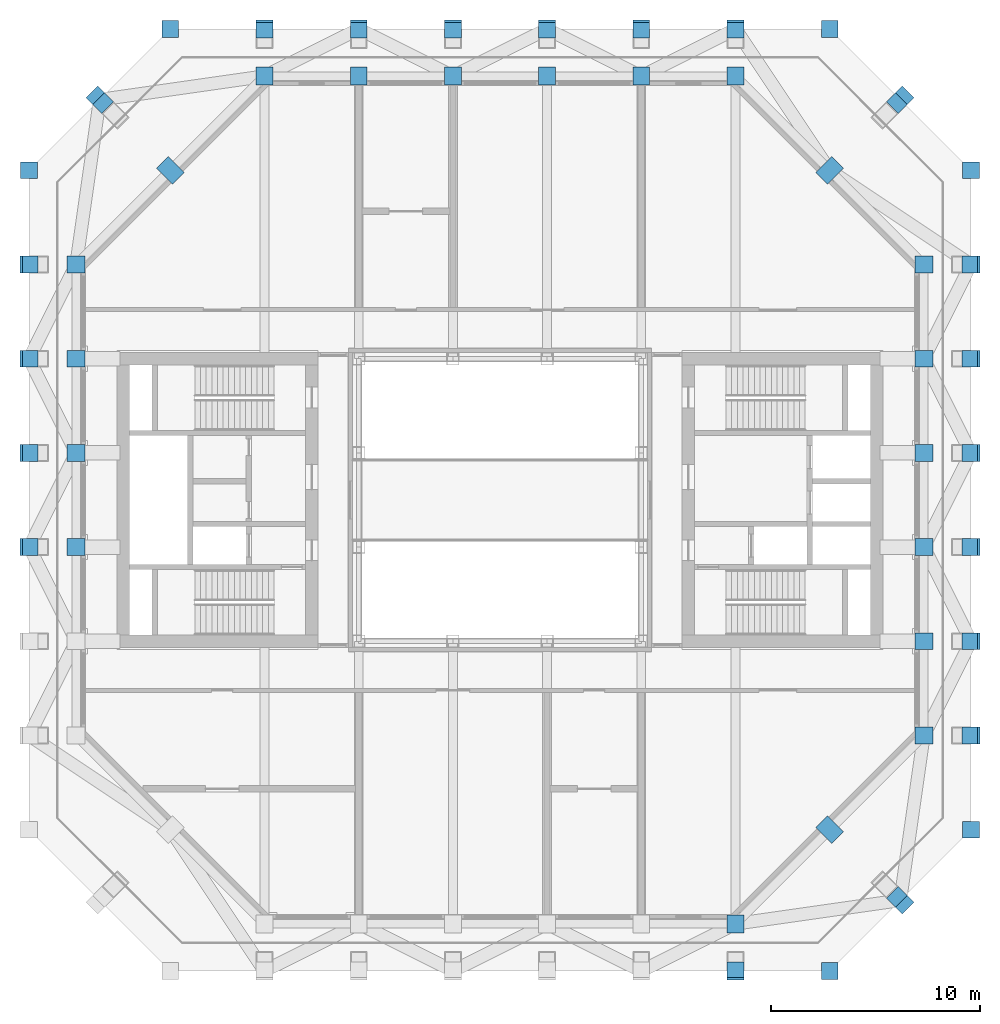
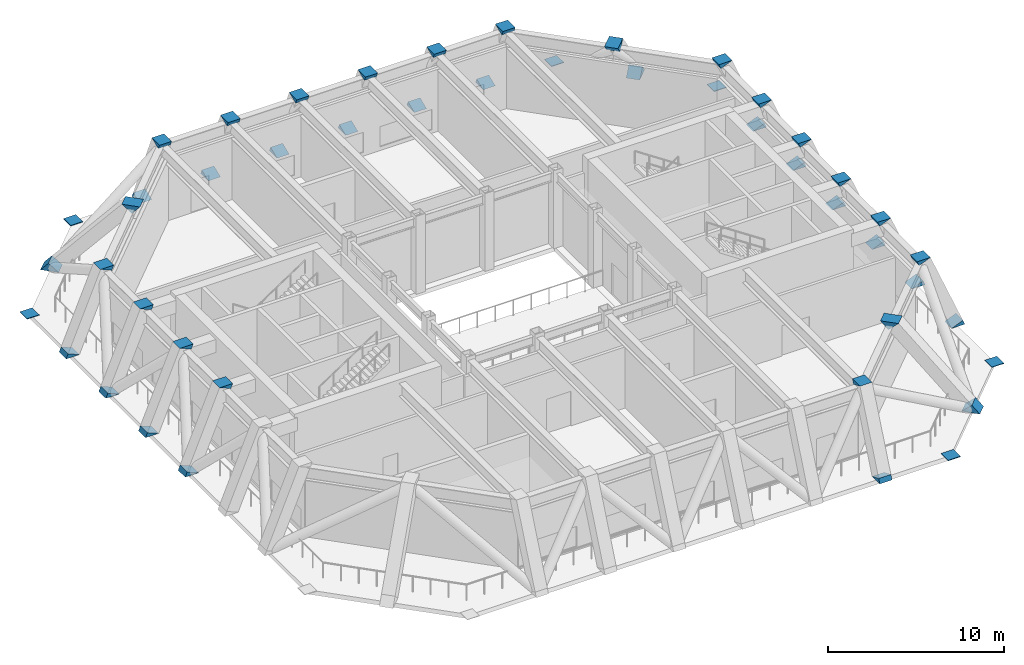
# One storey, part 6 of 8: 46 discrete accessories.
"""IFC4 building model written with IfcOpenShell, lengths in metres."""

from ifc_helpers import new_model, si_unit, direction, frame, origin, origin_2d, place, context, subcontext, project, spatial, polyline, rectangle, outline, extrude, clip, halfspace, element, save


model = new_model("IFC4")

# Units and contexts
model_context = context("Model", 3, precision=1e-05, world=origin(), true_north=direction((0.0, 1.0)))
body_context = subcontext(model_context, "Body", "Model", "MODEL_VIEW")
ifc_project = project(units=[si_unit("LENGTHUNIT", "METRE"), si_unit("AREAUNIT", "SQUARE_METRE"), si_unit("VOLUMEUNIT", "CUBIC_METRE"), si_unit("PLANEANGLEUNIT", "RADIAN"), si_unit("MASSUNIT", "GRAM", prefix="KILO")], contexts=[model_context])

# Site, building, storey
site_placement = place(None, origin())
site = spatial("IfcSite", under=ifc_project, at=site_placement, CompositionType="ELEMENT")
building_placement = place(site_placement, origin())
building = spatial("IfcBuilding", under=site, at=building_placement, Name="Msasa Ring Tower", CompositionType="ELEMENT")
storey_placement = place(building_placement, frame((0.0, 0.0, 190.39990234375)))
storey = spatial("IfcBuildingStorey", under=building, at=storey_placement, Name="L50", CompositionType="ELEMENT", Elevation=190.39990234375)

# Discrete accessories
discrete_accessory_1_placement = place(storey_placement, frame((-11.25, 22.5, 0.0)))
element("IfcDiscreteAccessory", 1, at=discrete_accessory_1_placement, inside=storey, Name="Raked column foot node N-11.25 L50", ObjectType="RAKED COLUMN NODE", PredefinedType="USERDEFINED", context=body_context, shape_type="Clipping", body=[
    clip(extrude(rectangle(XDim=0.800048828125, YDim=0.800048828125, at=origin_2d()), frame((0.0, 0.064208984375, -0.15380859375), z_axis=(0.0, -0.384615029586, 0.923077071006), x_axis=(0.0, 0.923077071006, 0.384615029586)), (0.0, 0.0, 1.0), 0.33349609375), halfspace(frame((0.0, 0.0, 0.0), z_axis=(0.0, 0.0, 1.0)), True)),
])
discrete_accessory_2_placement = place(storey_placement, frame((-11.25, 20.25, 5.400146484375)))
element("IfcDiscreteAccessory", 2, at=discrete_accessory_2_placement, inside=storey, Name="Raked column head node N-11.25 L50", ObjectType="RAKED COLUMN NODE", PredefinedType="USERDEFINED", context=body_context, shape_type="Clipping", body=[
    clip(extrude(rectangle(XDim=0.800048828125, YDim=0.800048828125, at=origin_2d()), frame((0.0, 0.064208984375, -0.15380859375), z_axis=(0.0, -0.384615029586, 0.923077071006), x_axis=(0.0, 0.923077071006, 0.384615029586)), (0.0, 0.0, 1.0), 0.33349609375), halfspace(frame((0.0, 0.0, 0.0), z_axis=(0.0, 0.0, -1.0)), True)),
])
discrete_accessory_3_placement = place(storey_placement, frame((22.5, -11.25, 0.0)))
element("IfcDiscreteAccessory", 3, at=discrete_accessory_3_placement, inside=storey, Name="Raked column foot node E-11.25 L50", ObjectType="RAKED COLUMN NODE", PredefinedType="USERDEFINED", context=body_context, shape_type="Clipping", body=[
    clip(extrude(rectangle(XDim=0.800048828125, YDim=0.800048828125, at=origin_2d()), frame((0.064208984375, 0.0, -0.15380859375), z_axis=(-0.384615029586, 0.0, 0.923077071006), x_axis=(0.0, -1.0, 0.0)), (0.0, 0.0, 1.0), 0.33349609375), halfspace(frame((0.0, 0.0, 0.0), z_axis=(0.0, 0.0, 1.0)), True)),
])
discrete_accessory_4_placement = place(storey_placement, frame((20.25, -11.25, 5.400146484375)))
element("IfcDiscreteAccessory", 4, at=discrete_accessory_4_placement, inside=storey, Name="Raked column head node E-11.25 L50", ObjectType="RAKED COLUMN NODE", PredefinedType="USERDEFINED", context=body_context, shape_type="Clipping", body=[
    clip(extrude(rectangle(XDim=0.800048828125, YDim=0.800048828125, at=origin_2d()), frame((0.064208984375, 0.0, -0.15380859375), z_axis=(-0.384615029586, 0.0, 0.923077071006), x_axis=(0.0, -1.0, 0.0)), (0.0, 0.0, 1.0), 0.33349609375), halfspace(frame((0.0, 0.0, 0.0), z_axis=(0.0, 0.0, -1.0)), True)),
])
discrete_accessory_5_placement = place(storey_placement, frame((-6.75, 22.5, 0.0)))
element("IfcDiscreteAccessory", 5, at=discrete_accessory_5_placement, inside=storey, Name="Raked column foot node N-6.75 L50", ObjectType="RAKED COLUMN NODE", PredefinedType="USERDEFINED", context=body_context, shape_type="Clipping", body=[
    clip(extrude(rectangle(XDim=0.800048828125, YDim=0.800048828125, at=origin_2d()), frame((0.0, 0.064208984375, -0.15380859375), z_axis=(0.0, -0.384615029586, 0.923077071006), x_axis=(0.0, 0.923077071006, 0.384615029586)), (0.0, 0.0, 1.0), 0.33349609375), halfspace(frame((0.0, 0.0, 0.0), z_axis=(0.0, 0.0, 1.0)), True)),
])
discrete_accessory_6_placement = place(storey_placement, frame((-6.75, 20.25, 5.400146484375)))
element("IfcDiscreteAccessory", 6, at=discrete_accessory_6_placement, inside=storey, Name="Raked column head node N-6.75 L50", ObjectType="RAKED COLUMN NODE", PredefinedType="USERDEFINED", context=body_context, shape_type="Clipping", body=[
    clip(extrude(rectangle(XDim=0.800048828125, YDim=0.800048828125, at=origin_2d()), frame((0.0, 0.064208984375, -0.15380859375), z_axis=(0.0, -0.384615029586, 0.923077071006), x_axis=(0.0, 0.923077071006, 0.384615029586)), (0.0, 0.0, 1.0), 0.33349609375), halfspace(frame((0.0, 0.0, 0.0), z_axis=(0.0, 0.0, -1.0)), True)),
])
discrete_accessory_7_placement = place(storey_placement, frame((22.5, -6.75, 0.0)))
element("IfcDiscreteAccessory", 7, at=discrete_accessory_7_placement, inside=storey, Name="Raked column foot node E-6.75 L50", ObjectType="RAKED COLUMN NODE", PredefinedType="USERDEFINED", context=body_context, shape_type="Clipping", body=[
    clip(extrude(rectangle(XDim=0.800048828125, YDim=0.800048828125, at=origin_2d()), frame((0.064208984375, 0.0, -0.15380859375), z_axis=(-0.384615029586, 0.0, 0.923077071006), x_axis=(0.0, -1.0, 0.0)), (0.0, 0.0, 1.0), 0.33349609375), halfspace(frame((0.0, 0.0, 0.0), z_axis=(0.0, 0.0, 1.0)), True)),
])
discrete_accessory_8_placement = place(storey_placement, frame((20.25, -6.75, 5.400146484375)))
element("IfcDiscreteAccessory", 8, at=discrete_accessory_8_placement, inside=storey, Name="Raked column head node E-6.75 L50", ObjectType="RAKED COLUMN NODE", PredefinedType="USERDEFINED", context=body_context, shape_type="Clipping", body=[
    clip(extrude(rectangle(XDim=0.800048828125, YDim=0.800048828125, at=origin_2d()), frame((0.064208984375, 0.0, -0.15380859375), z_axis=(-0.384615029586, 0.0, 0.923077071006), x_axis=(0.0, -1.0, 0.0)), (0.0, 0.0, 1.0), 0.33349609375), halfspace(frame((0.0, 0.0, 0.0), z_axis=(0.0, 0.0, -1.0)), True)),
])
discrete_accessory_9_placement = place(storey_placement, frame((-2.25, 22.5, 0.0)))
element("IfcDiscreteAccessory", 9, at=discrete_accessory_9_placement, inside=storey, Name="Raked column foot node N-2.25 L50", ObjectType="RAKED COLUMN NODE", PredefinedType="USERDEFINED", context=body_context, shape_type="Clipping", body=[
    clip(extrude(rectangle(XDim=0.800048828125, YDim=0.800048828125, at=origin_2d()), frame((0.0, 0.064208984375, -0.15380859375), z_axis=(0.0, -0.384615029586, 0.923077071006), x_axis=(0.0, 0.923077071006, 0.384615029586)), (0.0, 0.0, 1.0), 0.33349609375), halfspace(frame((0.0, 0.0, 0.0), z_axis=(0.0, 0.0, 1.0)), True)),
])
discrete_accessory_10_placement = place(storey_placement, frame((-2.25, 20.25, 5.400146484375)))
element("IfcDiscreteAccessory", 10, at=discrete_accessory_10_placement, inside=storey, Name="Raked column head node N-2.25 L50", ObjectType="RAKED COLUMN NODE", PredefinedType="USERDEFINED", context=body_context, shape_type="Clipping", body=[
    clip(extrude(rectangle(XDim=0.800048828125, YDim=0.800048828125, at=origin_2d()), frame((0.0, 0.064208984375, -0.15380859375), z_axis=(0.0, -0.384615029586, 0.923077071006), x_axis=(0.0, 0.923077071006, 0.384615029586)), (0.0, 0.0, 1.0), 0.33349609375), halfspace(frame((0.0, 0.0, 0.0), z_axis=(0.0, 0.0, -1.0)), True)),
])
discrete_accessory_11_placement = place(storey_placement, frame((22.5, -2.25, 0.0)))
element("IfcDiscreteAccessory", 11, at=discrete_accessory_11_placement, inside=storey, Name="Raked column foot node E-2.25 L50", ObjectType="RAKED COLUMN NODE", PredefinedType="USERDEFINED", context=body_context, shape_type="Clipping", body=[
    clip(extrude(rectangle(XDim=0.800048828125, YDim=0.800048828125, at=origin_2d()), frame((0.064208984375, 0.0, -0.15380859375), z_axis=(-0.384615029586, 0.0, 0.923077071006), x_axis=(0.0, -1.0, 0.0)), (0.0, 0.0, 1.0), 0.33349609375), halfspace(frame((0.0, 0.0, 0.0), z_axis=(0.0, 0.0, 1.0)), True)),
])
discrete_accessory_12_placement = place(storey_placement, frame((20.25, -2.25, 5.400146484375)))
element("IfcDiscreteAccessory", 12, at=discrete_accessory_12_placement, inside=storey, Name="Raked column head node E-2.25 L50", ObjectType="RAKED COLUMN NODE", PredefinedType="USERDEFINED", context=body_context, shape_type="Clipping", body=[
    clip(extrude(rectangle(XDim=0.800048828125, YDim=0.800048828125, at=origin_2d()), frame((0.064208984375, 0.0, -0.15380859375), z_axis=(-0.384615029586, 0.0, 0.923077071006), x_axis=(0.0, -1.0, 0.0)), (0.0, 0.0, 1.0), 0.33349609375), halfspace(frame((0.0, 0.0, 0.0), z_axis=(0.0, 0.0, -1.0)), True)),
])
discrete_accessory_13_placement = place(storey_placement, frame((-22.5, -2.25, 0.0)))
element("IfcDiscreteAccessory", 13, at=discrete_accessory_13_placement, inside=storey, Name="Raked column foot node W-2.25 L50", ObjectType="RAKED COLUMN NODE", PredefinedType="USERDEFINED", context=body_context, shape_type="Clipping", body=[
    clip(extrude(rectangle(XDim=0.800048828125, YDim=0.800048828125, at=origin_2d()), frame((-0.064208984375, 0.0, -0.15380859375), z_axis=(0.384615029586, 0.0, 0.923077071006), x_axis=(0.0, 1.0, 0.0)), (0.0, 0.0, 1.0), 0.33349609375), halfspace(frame((0.0, 0.0, 0.0), z_axis=(0.0, 0.0, 1.0)), True)),
])
discrete_accessory_14_placement = place(storey_placement, frame((-20.25, -2.25, 5.400146484375)))
element("IfcDiscreteAccessory", 14, at=discrete_accessory_14_placement, inside=storey, Name="Raked column head node W-2.25 L50", ObjectType="RAKED COLUMN NODE", PredefinedType="USERDEFINED", context=body_context, shape_type="Clipping", body=[
    clip(extrude(rectangle(XDim=0.800048828125, YDim=0.800048828125, at=origin_2d()), frame((-0.064208984375, 0.0, -0.15380859375), z_axis=(0.384615029586, 0.0, 0.923077071006), x_axis=(0.0, 1.0, 0.0)), (0.0, 0.0, 1.0), 0.33349609375), halfspace(frame((0.0, 0.0, 0.0), z_axis=(0.0, 0.0, -1.0)), True)),
])
discrete_accessory_15_placement = place(storey_placement, frame((2.25, 22.5, 0.0)))
element("IfcDiscreteAccessory", 15, at=discrete_accessory_15_placement, inside=storey, Name="Raked column foot node N+2.25 L50", ObjectType="RAKED COLUMN NODE", PredefinedType="USERDEFINED", context=body_context, shape_type="Clipping", body=[
    clip(extrude(rectangle(XDim=0.800048828125, YDim=0.800048828125, at=origin_2d()), frame((0.0, 0.064208984375, -0.15380859375), z_axis=(0.0, -0.384615029586, 0.923077071006), x_axis=(0.0, 0.923077071006, 0.384615029586)), (0.0, 0.0, 1.0), 0.33349609375), halfspace(frame((0.0, 0.0, 0.0), z_axis=(0.0, 0.0, 1.0)), True)),
])
discrete_accessory_16_placement = place(storey_placement, frame((2.25, 20.25, 5.400146484375)))
element("IfcDiscreteAccessory", 16, at=discrete_accessory_16_placement, inside=storey, Name="Raked column head node N+2.25 L50", ObjectType="RAKED COLUMN NODE", PredefinedType="USERDEFINED", context=body_context, shape_type="Clipping", body=[
    clip(extrude(rectangle(XDim=0.800048828125, YDim=0.800048828125, at=origin_2d()), frame((0.0, 0.064208984375, -0.15380859375), z_axis=(0.0, -0.384615029586, 0.923077071006), x_axis=(0.0, 0.923077071006, 0.384615029586)), (0.0, 0.0, 1.0), 0.33349609375), halfspace(frame((0.0, 0.0, 0.0), z_axis=(0.0, 0.0, -1.0)), True)),
])
discrete_accessory_17_placement = place(storey_placement, frame((22.5, 2.25, 0.0)))
element("IfcDiscreteAccessory", 17, at=discrete_accessory_17_placement, inside=storey, Name="Raked column foot node E+2.25 L50", ObjectType="RAKED COLUMN NODE", PredefinedType="USERDEFINED", context=body_context, shape_type="Clipping", body=[
    clip(extrude(rectangle(XDim=0.800048828125, YDim=0.800048828125, at=origin_2d()), frame((0.064208984375, 0.0, -0.15380859375), z_axis=(-0.384615029586, 0.0, 0.923077071006), x_axis=(0.0, -1.0, 0.0)), (0.0, 0.0, 1.0), 0.33349609375), halfspace(frame((0.0, 0.0, 0.0), z_axis=(0.0, 0.0, 1.0)), True)),
])
discrete_accessory_18_placement = place(storey_placement, frame((20.25, 2.25, 5.400146484375)))
element("IfcDiscreteAccessory", 18, at=discrete_accessory_18_placement, inside=storey, Name="Raked column head node E+2.25 L50", ObjectType="RAKED COLUMN NODE", PredefinedType="USERDEFINED", context=body_context, shape_type="Clipping", body=[
    clip(extrude(rectangle(XDim=0.800048828125, YDim=0.800048828125, at=origin_2d()), frame((0.064208984375, 0.0, -0.15380859375), z_axis=(-0.384615029586, 0.0, 0.923077071006), x_axis=(0.0, -1.0, 0.0)), (0.0, 0.0, 1.0), 0.33349609375), halfspace(frame((0.0, 0.0, 0.0), z_axis=(0.0, 0.0, -1.0)), True)),
])
discrete_accessory_19_placement = place(storey_placement, frame((-22.5, 2.25, 0.0)))
element("IfcDiscreteAccessory", 19, at=discrete_accessory_19_placement, inside=storey, Name="Raked column foot node W+2.25 L50", ObjectType="RAKED COLUMN NODE", PredefinedType="USERDEFINED", context=body_context, shape_type="Clipping", body=[
    clip(extrude(rectangle(XDim=0.800048828125, YDim=0.800048828125, at=origin_2d()), frame((-0.064208984375, 0.0, -0.15380859375), z_axis=(0.384615029586, 0.0, 0.923077071006), x_axis=(0.0, 1.0, 0.0)), (0.0, 0.0, 1.0), 0.33349609375), halfspace(frame((0.0, 0.0, 0.0), z_axis=(0.0, 0.0, 1.0)), True)),
])
discrete_accessory_20_placement = place(storey_placement, frame((-20.25, 2.25, 5.400146484375)))
element("IfcDiscreteAccessory", 20, at=discrete_accessory_20_placement, inside=storey, Name="Raked column head node W+2.25 L50", ObjectType="RAKED COLUMN NODE", PredefinedType="USERDEFINED", context=body_context, shape_type="Clipping", body=[
    clip(extrude(rectangle(XDim=0.800048828125, YDim=0.800048828125, at=origin_2d()), frame((-0.064208984375, 0.0, -0.15380859375), z_axis=(0.384615029586, 0.0, 0.923077071006), x_axis=(0.0, 1.0, 0.0)), (0.0, 0.0, 1.0), 0.33349609375), halfspace(frame((0.0, 0.0, 0.0), z_axis=(0.0, 0.0, -1.0)), True)),
])
discrete_accessory_21_placement = place(storey_placement, frame((6.75, 22.5, 0.0)))
element("IfcDiscreteAccessory", 21, at=discrete_accessory_21_placement, inside=storey, Name="Raked column foot node N+6.75 L50", ObjectType="RAKED COLUMN NODE", PredefinedType="USERDEFINED", context=body_context, shape_type="Clipping", body=[
    clip(extrude(rectangle(XDim=0.800048828125, YDim=0.800048828125, at=origin_2d()), frame((0.0, 0.064208984375, -0.15380859375), z_axis=(0.0, -0.384615029586, 0.923077071006), x_axis=(0.0, 0.923077071006, 0.384615029586)), (0.0, 0.0, 1.0), 0.33349609375), halfspace(frame((0.0, 0.0, 0.0), z_axis=(0.0, 0.0, 1.0)), True)),
])
discrete_accessory_22_placement = place(storey_placement, frame((6.75, 20.25, 5.400146484375)))
element("IfcDiscreteAccessory", 22, at=discrete_accessory_22_placement, inside=storey, Name="Raked column head node N+6.75 L50", ObjectType="RAKED COLUMN NODE", PredefinedType="USERDEFINED", context=body_context, shape_type="Clipping", body=[
    clip(extrude(rectangle(XDim=0.800048828125, YDim=0.800048828125, at=origin_2d()), frame((0.0, 0.064208984375, -0.15380859375), z_axis=(0.0, -0.384615029586, 0.923077071006), x_axis=(0.0, 0.923077071006, 0.384615029586)), (0.0, 0.0, 1.0), 0.33349609375), halfspace(frame((0.0, 0.0, 0.0), z_axis=(0.0, 0.0, -1.0)), True)),
])
discrete_accessory_23_placement = place(storey_placement, frame((22.5, 6.75, 0.0)))
element("IfcDiscreteAccessory", 23, at=discrete_accessory_23_placement, inside=storey, Name="Raked column foot node E+6.75 L50", ObjectType="RAKED COLUMN NODE", PredefinedType="USERDEFINED", context=body_context, shape_type="Clipping", body=[
    clip(extrude(rectangle(XDim=0.800048828125, YDim=0.800048828125, at=origin_2d()), frame((0.064208984375, 0.0, -0.15380859375), z_axis=(-0.384615029586, 0.0, 0.923077071006), x_axis=(0.0, -1.0, 0.0)), (0.0, 0.0, 1.0), 0.33349609375), halfspace(frame((0.0, 0.0, 0.0), z_axis=(0.0, 0.0, 1.0)), True)),
])
discrete_accessory_24_placement = place(storey_placement, frame((20.25, 6.75, 5.400146484375)))
element("IfcDiscreteAccessory", 24, at=discrete_accessory_24_placement, inside=storey, Name="Raked column head node E+6.75 L50", ObjectType="RAKED COLUMN NODE", PredefinedType="USERDEFINED", context=body_context, shape_type="Clipping", body=[
    clip(extrude(rectangle(XDim=0.800048828125, YDim=0.800048828125, at=origin_2d()), frame((0.064208984375, 0.0, -0.15380859375), z_axis=(-0.384615029586, 0.0, 0.923077071006), x_axis=(0.0, -1.0, 0.0)), (0.0, 0.0, 1.0), 0.33349609375), halfspace(frame((0.0, 0.0, 0.0), z_axis=(0.0, 0.0, -1.0)), True)),
])
discrete_accessory_25_placement = place(storey_placement, frame((-22.5, 6.75, 0.0)))
element("IfcDiscreteAccessory", 25, at=discrete_accessory_25_placement, inside=storey, Name="Raked column foot node W+6.75 L50", ObjectType="RAKED COLUMN NODE", PredefinedType="USERDEFINED", context=body_context, shape_type="Clipping", body=[
    clip(extrude(rectangle(XDim=0.800048828125, YDim=0.800048828125, at=origin_2d()), frame((-0.064208984375, 0.0, -0.15380859375), z_axis=(0.384615029586, 0.0, 0.923077071006), x_axis=(0.0, 1.0, 0.0)), (0.0, 0.0, 1.0), 0.33349609375), halfspace(frame((0.0, 0.0, 0.0), z_axis=(0.0, 0.0, 1.0)), True)),
])
discrete_accessory_26_placement = place(storey_placement, frame((-20.25, 6.75, 5.400146484375)))
element("IfcDiscreteAccessory", 26, at=discrete_accessory_26_placement, inside=storey, Name="Raked column head node W+6.75 L50", ObjectType="RAKED COLUMN NODE", PredefinedType="USERDEFINED", context=body_context, shape_type="Clipping", body=[
    clip(extrude(rectangle(XDim=0.800048828125, YDim=0.800048828125, at=origin_2d()), frame((-0.064208984375, 0.0, -0.15380859375), z_axis=(0.384615029586, 0.0, 0.923077071006), x_axis=(0.0, 1.0, 0.0)), (0.0, 0.0, 1.0), 0.33349609375), halfspace(frame((0.0, 0.0, 0.0), z_axis=(0.0, 0.0, -1.0)), True)),
])
discrete_accessory_27_placement = place(storey_placement, frame((11.25, -22.5, 0.0)))
element("IfcDiscreteAccessory", 27, at=discrete_accessory_27_placement, inside=storey, Name="Raked column foot node S+11.25 L50", ObjectType="RAKED COLUMN NODE", PredefinedType="USERDEFINED", context=body_context, shape_type="Clipping", body=[
    clip(extrude(rectangle(XDim=0.800048828125, YDim=0.800048828125, at=origin_2d()), frame((0.0, -0.064208984375, -0.15380859375), z_axis=(0.0, 0.384615029586, 0.923077071006), x_axis=(0.0, -0.923077071006, 0.384615029586)), (0.0, 0.0, 1.0), 0.33349609375), halfspace(frame((0.0, 0.0, 0.0), z_axis=(0.0, 0.0, 1.0)), True)),
])
discrete_accessory_28_placement = place(storey_placement, frame((11.25, -20.25, 5.400146484375)))
element("IfcDiscreteAccessory", 28, at=discrete_accessory_28_placement, inside=storey, Name="Raked column head node S+11.25 L50", ObjectType="RAKED COLUMN NODE", PredefinedType="USERDEFINED", context=body_context, shape_type="Clipping", body=[
    clip(extrude(rectangle(XDim=0.800048828125, YDim=0.800048828125, at=origin_2d()), frame((0.0, -0.064208984375, -0.15380859375), z_axis=(0.0, 0.384615029586, 0.923077071006), x_axis=(0.0, -0.923077071006, 0.384615029586)), (0.0, 0.0, 1.0), 0.33349609375), halfspace(frame((0.0, 0.0, 0.0), z_axis=(0.0, 0.0, -1.0)), True)),
])
discrete_accessory_29_placement = place(storey_placement, frame((11.25, 22.5, 0.0)))
element("IfcDiscreteAccessory", 29, at=discrete_accessory_29_placement, inside=storey, Name="Raked column foot node N+11.25 L50", ObjectType="RAKED COLUMN NODE", PredefinedType="USERDEFINED", context=body_context, shape_type="Clipping", body=[
    clip(extrude(rectangle(XDim=0.800048828125, YDim=0.800048828125, at=origin_2d()), frame((0.0, 0.064208984375, -0.15380859375), z_axis=(0.0, -0.384615029586, 0.923077071006), x_axis=(0.0, 0.923077071006, 0.384615029586)), (0.0, 0.0, 1.0), 0.33349609375), halfspace(frame((0.0, 0.0, 0.0), z_axis=(0.0, 0.0, 1.0)), True)),
])
discrete_accessory_30_placement = place(storey_placement, frame((11.25, 20.25, 5.400146484375)))
element("IfcDiscreteAccessory", 30, at=discrete_accessory_30_placement, inside=storey, Name="Raked column head node N+11.25 L50", ObjectType="RAKED COLUMN NODE", PredefinedType="USERDEFINED", context=body_context, shape_type="Clipping", body=[
    clip(extrude(rectangle(XDim=0.800048828125, YDim=0.800048828125, at=origin_2d()), frame((0.0, 0.064208984375, -0.15380859375), z_axis=(0.0, -0.384615029586, 0.923077071006), x_axis=(0.0, 0.923077071006, 0.384615029586)), (0.0, 0.0, 1.0), 0.33349609375), halfspace(frame((0.0, 0.0, 0.0), z_axis=(0.0, 0.0, -1.0)), True)),
])
discrete_accessory_31_placement = place(storey_placement, frame((22.5, 11.25, 0.0)))
element("IfcDiscreteAccessory", 31, at=discrete_accessory_31_placement, inside=storey, Name="Raked column foot node E+11.25 L50", ObjectType="RAKED COLUMN NODE", PredefinedType="USERDEFINED", context=body_context, shape_type="Clipping", body=[
    clip(extrude(rectangle(XDim=0.800048828125, YDim=0.800048828125, at=origin_2d()), frame((0.064208984375, 0.0, -0.15380859375), z_axis=(-0.384615029586, 0.0, 0.923077071006), x_axis=(0.0, -1.0, 0.0)), (0.0, 0.0, 1.0), 0.33349609375), halfspace(frame((0.0, 0.0, 0.0), z_axis=(0.0, 0.0, 1.0)), True)),
])
discrete_accessory_32_placement = place(storey_placement, frame((20.25, 11.25, 5.400146484375)))
element("IfcDiscreteAccessory", 32, at=discrete_accessory_32_placement, inside=storey, Name="Raked column head node E+11.25 L50", ObjectType="RAKED COLUMN NODE", PredefinedType="USERDEFINED", context=body_context, shape_type="Clipping", body=[
    clip(extrude(rectangle(XDim=0.800048828125, YDim=0.800048828125, at=origin_2d()), frame((0.064208984375, 0.0, -0.15380859375), z_axis=(-0.384615029586, 0.0, 0.923077071006), x_axis=(0.0, -1.0, 0.0)), (0.0, 0.0, 1.0), 0.33349609375), halfspace(frame((0.0, 0.0, 0.0), z_axis=(0.0, 0.0, -1.0)), True)),
])
discrete_accessory_33_placement = place(storey_placement, frame((-22.5, 11.25, 0.0)))
element("IfcDiscreteAccessory", 33, at=discrete_accessory_33_placement, inside=storey, Name="Raked column foot node W+11.25 L50", ObjectType="RAKED COLUMN NODE", PredefinedType="USERDEFINED", context=body_context, shape_type="Clipping", body=[
    clip(extrude(rectangle(XDim=0.800048828125, YDim=0.800048828125, at=origin_2d()), frame((-0.064208984375, 0.0, -0.15380859375), z_axis=(0.384615029586, 0.0, 0.923077071006), x_axis=(0.0, 1.0, 0.0)), (0.0, 0.0, 1.0), 0.33349609375), halfspace(frame((0.0, 0.0, 0.0), z_axis=(0.0, 0.0, 1.0)), True)),
])
discrete_accessory_34_placement = place(storey_placement, frame((-20.25, 11.25, 5.400146484375)))
element("IfcDiscreteAccessory", 34, at=discrete_accessory_34_placement, inside=storey, Name="Raked column head node W+11.25 L50", ObjectType="RAKED COLUMN NODE", PredefinedType="USERDEFINED", context=body_context, shape_type="Clipping", body=[
    clip(extrude(rectangle(XDim=0.800048828125, YDim=0.800048828125, at=origin_2d()), frame((-0.064208984375, 0.0, -0.15380859375), z_axis=(0.384615029586, 0.0, 0.923077071006), x_axis=(0.0, 1.0, 0.0)), (0.0, 0.0, 1.0), 0.33349609375), halfspace(frame((0.0, 0.0, 0.0), z_axis=(0.0, 0.0, -1.0)), True)),
])
discrete_accessory_35_placement = place(storey_placement, frame((19.125, -19.125, 0.0)))
element("IfcDiscreteAccessory", 35, at=discrete_accessory_35_placement, inside=storey, Name="Raked column foot node SE L50", ObjectType="RAKED COLUMN NODE", PredefinedType="USERDEFINED", context=body_context, shape_type="Clipping", body=[
    clip(extrude(rectangle(XDim=0.800048828125, YDim=0.800048828125, at=origin_2d()), frame((0.16552734375, -0.16552734375, -0.264892578125), z_axis=(-0.468292835615, 0.468292835615, 0.749268736985), x_axis=(-0.707106781187, -0.707106781187, 0.0)), (0.0, 0.0, 1.0), 0.707275390625), halfspace(frame((0.0, 0.0, 0.0), z_axis=(0.0, 0.0, 1.0)), True)),
])
discrete_accessory_36_placement = place(storey_placement, frame((15.75, -15.75, 5.400146484375)))
element("IfcDiscreteAccessory", 36, at=discrete_accessory_36_placement, inside=storey, Name="Raked column head node SE L50", ObjectType="RAKED COLUMN NODE", PredefinedType="USERDEFINED", context=body_context, shape_type="Clipping", body=[
    clip(extrude(rectangle(XDim=0.800048828125, YDim=0.800048828125, at=origin_2d()), frame((0.16552734375, -0.16552734375, -0.264892578125), z_axis=(-0.468292835615, 0.468292835615, 0.749268736985), x_axis=(-0.707106781187, -0.707106781187, 0.0)), (0.0, 0.0, 1.0), 0.707275390625), halfspace(frame((0.0, 0.0, 0.0), z_axis=(0.0, 0.0, -1.0)), True)),
])
discrete_accessory_37_placement = place(storey_placement, frame((19.125, 19.125, 0.0)))
element("IfcDiscreteAccessory", 37, at=discrete_accessory_37_placement, inside=storey, Name="Raked column foot node NE L50", ObjectType="RAKED COLUMN NODE", PredefinedType="USERDEFINED", context=body_context, shape_type="Clipping", body=[
    clip(extrude(rectangle(XDim=0.800048828125, YDim=0.800048828125, at=origin_2d()), frame((0.16552734375, 0.16552734375, -0.264892578125), z_axis=(-0.468292835615, -0.468292835615, 0.749268736985), x_axis=(0.707106781187, -0.707106781187, 0.0)), (0.0, 0.0, 1.0), 0.707275390625), halfspace(frame((0.0, 0.0, 0.0), z_axis=(0.0, 0.0, 1.0)), True)),
])
discrete_accessory_38_placement = place(storey_placement, frame((15.75, 15.75, 5.400146484375)))
element("IfcDiscreteAccessory", 38, at=discrete_accessory_38_placement, inside=storey, Name="Raked column head node NE L50", ObjectType="RAKED COLUMN NODE", PredefinedType="USERDEFINED", context=body_context, shape_type="Clipping", body=[
    clip(extrude(rectangle(XDim=0.800048828125, YDim=0.800048828125, at=origin_2d()), frame((0.16552734375, 0.16552734375, -0.264892578125), z_axis=(-0.468292835615, -0.468292835615, 0.749268736985), x_axis=(0.707106781187, -0.707106781187, 0.0)), (0.0, 0.0, 1.0), 0.707275390625), halfspace(frame((0.0, 0.0, 0.0), z_axis=(0.0, 0.0, -1.0)), True)),
])
discrete_accessory_39_placement = place(storey_placement, frame((-19.125, 19.125, 0.0)))
element("IfcDiscreteAccessory", 39, at=discrete_accessory_39_placement, inside=storey, Name="Raked column foot node NW L50", ObjectType="RAKED COLUMN NODE", PredefinedType="USERDEFINED", context=body_context, shape_type="Clipping", body=[
    clip(extrude(rectangle(XDim=0.800048828125, YDim=0.800048828125, at=origin_2d()), frame((-0.16552734375, 0.16552734375, -0.264892578125), z_axis=(0.468292835615, -0.468292835615, 0.749268736985), x_axis=(0.707106781187, 0.707106781187, 0.0)), (0.0, 0.0, 1.0), 0.707275390625), halfspace(frame((0.0, 0.0, 0.0), z_axis=(0.0, 0.0, 1.0)), True)),
])
discrete_accessory_40_placement = place(storey_placement, frame((-15.75, 15.75, 5.400146484375)))
element("IfcDiscreteAccessory", 40, at=discrete_accessory_40_placement, inside=storey, Name="Raked column head node NW L50", ObjectType="RAKED COLUMN NODE", PredefinedType="USERDEFINED", context=body_context, shape_type="Clipping", body=[
    clip(extrude(rectangle(XDim=0.800048828125, YDim=0.800048828125, at=origin_2d()), frame((-0.16552734375, 0.16552734375, -0.264892578125), z_axis=(0.468292835615, -0.468292835615, 0.749268736985), x_axis=(0.707106781187, 0.707106781187, 0.0)), (0.0, 0.0, 1.0), 0.707275390625), halfspace(frame((0.0, 0.0, 0.0), z_axis=(0.0, 0.0, -1.0)), True)),
])
discrete_accessory_41_placement = place(storey_placement, origin())
element("IfcDiscreteAccessory", 41, at=discrete_accessory_41_placement, inside=storey, Name="Tube column cap plate E-15.75 L49", ObjectType="STEEL COLUMN CAP PLATE", PredefinedType="USERDEFINED", context=body_context, shape_type="SweptSolid", body=[
    extrude(outline(polyline([(22.10009765625, -16.14990234375), (22.89990234375, -16.14990234375), (22.89990234375, -15.35009765625), (22.10009765625, -15.35009765625), (22.10009765625, -16.14990234375)])), origin(), (0.0, 0.0, 1.0), 0.0400390625),
])
discrete_accessory_42_placement = place(storey_placement, origin())
element("IfcDiscreteAccessory", 42, at=discrete_accessory_42_placement, inside=storey, Name="Tube column cap plate E+15.75 L49", ObjectType="STEEL COLUMN CAP PLATE", PredefinedType="USERDEFINED", context=body_context, shape_type="SweptSolid", body=[
    extrude(outline(polyline([(22.10009765625, 15.35009765625), (22.89990234375, 15.35009765625), (22.89990234375, 16.14990234375), (22.10009765625, 16.14990234375), (22.10009765625, 15.35009765625)])), origin(), (0.0, 0.0, 1.0), 0.0400390625),
])
discrete_accessory_43_placement = place(storey_placement, origin())
element("IfcDiscreteAccessory", 43, at=discrete_accessory_43_placement, inside=storey, Name="Tube column cap plate N-15.75 L49", ObjectType="STEEL COLUMN CAP PLATE", PredefinedType="USERDEFINED", context=body_context, shape_type="SweptSolid", body=[
    extrude(outline(polyline([(-16.14990234375, 22.10009765625), (-15.35009765625, 22.10009765625), (-15.35009765625, 22.89990234375), (-16.14990234375, 22.89990234375), (-16.14990234375, 22.10009765625)])), origin(), (0.0, 0.0, 1.0), 0.0400390625),
])
discrete_accessory_44_placement = place(storey_placement, origin())
element("IfcDiscreteAccessory", 44, at=discrete_accessory_44_placement, inside=storey, Name="Tube column cap plate N+15.75 L49", ObjectType="STEEL COLUMN CAP PLATE", PredefinedType="USERDEFINED", context=body_context, shape_type="SweptSolid", body=[
    extrude(outline(polyline([(15.35009765625, 22.10009765625), (16.14990234375, 22.10009765625), (16.14990234375, 22.89990234375), (15.35009765625, 22.89990234375), (15.35009765625, 22.10009765625)])), origin(), (0.0, 0.0, 1.0), 0.0400390625),
])
discrete_accessory_45_placement = place(storey_placement, origin())
element("IfcDiscreteAccessory", 45, at=discrete_accessory_45_placement, inside=storey, Name="Tube column cap plate S+15.75 L49", ObjectType="STEEL COLUMN CAP PLATE", PredefinedType="USERDEFINED", context=body_context, shape_type="SweptSolid", body=[
    extrude(outline(polyline([(15.35009765625, -22.89990234375), (16.14990234375, -22.89990234375), (16.14990234375, -22.10009765625), (15.35009765625, -22.10009765625), (15.35009765625, -22.89990234375)])), origin(), (0.0, 0.0, 1.0), 0.0400390625),
])
discrete_accessory_46_placement = place(storey_placement, origin())
element("IfcDiscreteAccessory", 46, at=discrete_accessory_46_placement, inside=storey, Name="Tube column cap plate W+15.75 L49", ObjectType="STEEL COLUMN CAP PLATE", PredefinedType="USERDEFINED", context=body_context, shape_type="SweptSolid", body=[
    extrude(outline(polyline([(-22.89990234375, 15.35009765625), (-22.10009765625, 15.35009765625), (-22.10009765625, 16.14990234375), (-22.89990234375, 16.14990234375), (-22.89990234375, 15.35009765625)])), origin(), (0.0, 0.0, 1.0), 0.0400390625),
])

save(model, "model.ifc")
